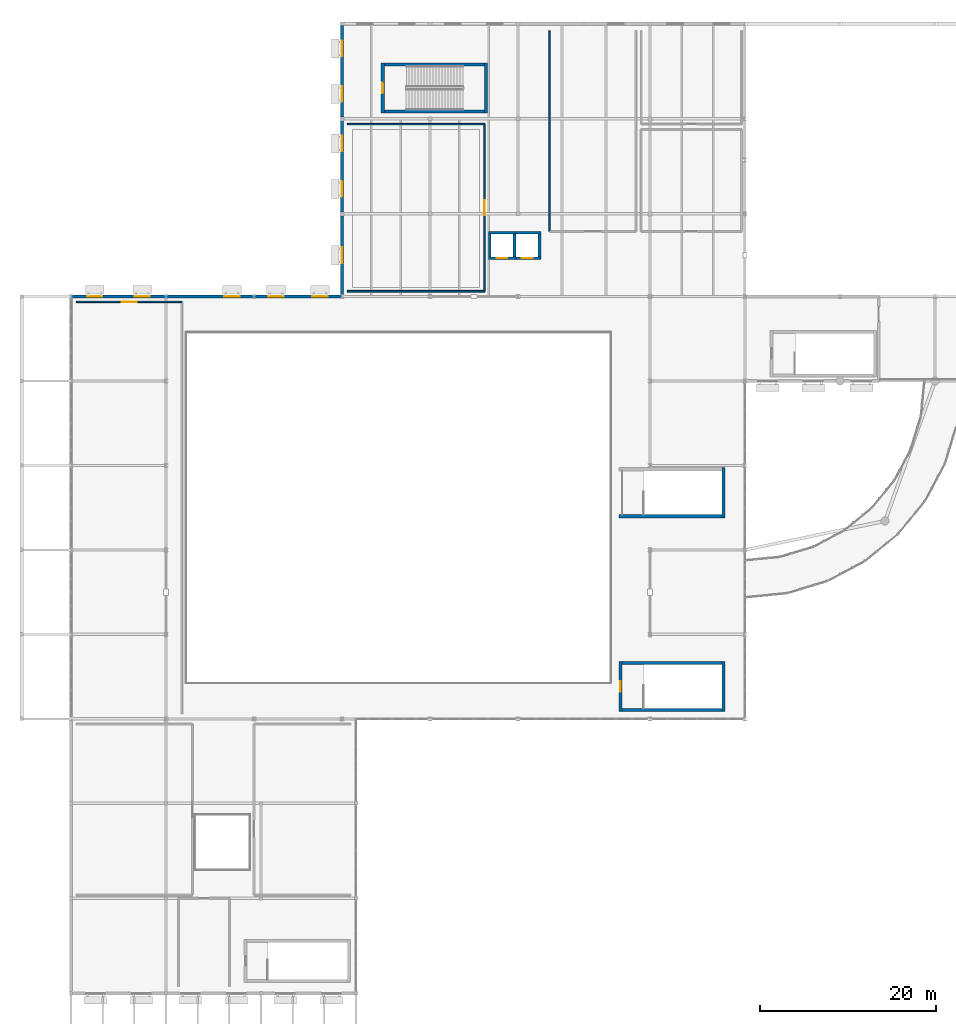
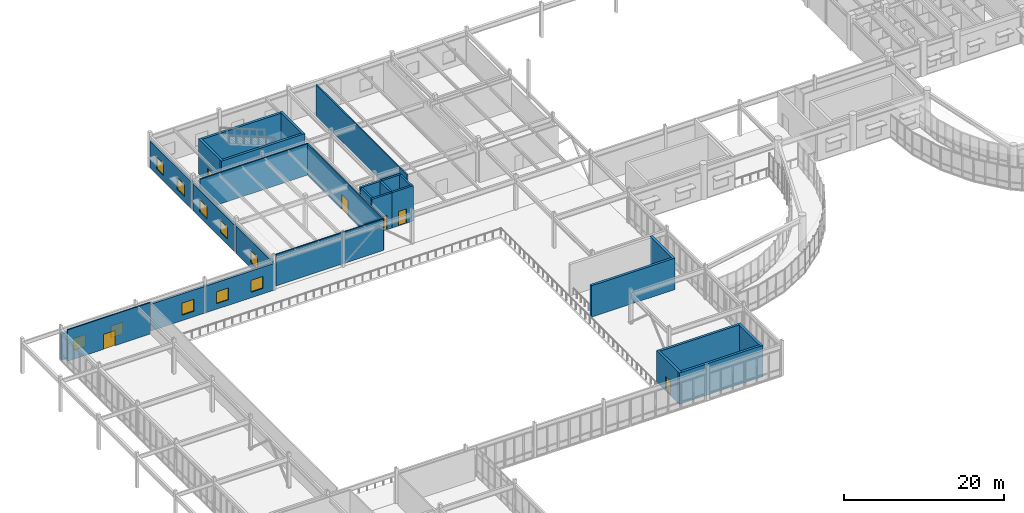
# One storey, part 43 of 68: 28 walls, 10 windows, 6 doors, 16 openings.
"""IFC4 building model written with IfcOpenShell, lengths in metres."""

from ifc_helpers import new_model, si_unit, direction, frame, frame_2d, origin, place, context, subcontext, project, spatial, rectangle, extrude, material, layer, layer_set, type_object, element, fill, save


model = new_model("IFC4")

# Units and contexts
model_context = context("Model", 3, precision=1e-05, world=origin(), true_north=direction((0.0, 1.0)))
body_context = subcontext(model_context, "Body", "Model", "MODEL_VIEW")
ifc_project = project(units=[si_unit("LENGTHUNIT", "METRE"), si_unit("AREAUNIT", "SQUARE_METRE"), si_unit("VOLUMEUNIT", "CUBIC_METRE"), si_unit("PLANEANGLEUNIT", "RADIAN"), si_unit("MASSUNIT", "GRAM", prefix="KILO")], contexts=[model_context])

# Site, building, storey
site_placement = place(None, origin())
site = spatial("IfcSite", under=ifc_project, at=site_placement, CompositionType="ELEMENT")
building_placement = place(site_placement, origin())
building = spatial("IfcBuilding", under=site, at=building_placement, Name="Veldera Park Congress Hotel", CompositionType="ELEMENT")
storey_placement = place(building_placement, frame((0.0, 0.0, 10.800048828125)))
storey = spatial("IfcBuildingStorey", under=building, at=storey_placement, Name="L02", CompositionType="ELEMENT", Elevation=10.800048828125)

# Wall, openings, windows
ifc_material_1 = material(Name="Cross-laminated timber CLT V2M1.1", Category="wood")
ifc_layer_1 = layer(ifc_material_1, 0.320068359375)
ifc_layer_set_1 = layer_set([ifc_layer_1], Name="Cross-laminated timber CLT V2M1.1")
wall_type_1 = type_object("IfcWallType", Name="EW-CLT320", PredefinedType="STANDARD", material=ifc_layer_set_1)
wall_1_placement = place(storey_placement, frame((-47.39990234375, 57.777099609375, 0.0), z_axis=(0.0, 0.0, 1.0), x_axis=(0.0, -1.0, 0.0)))
wall_1 = element("IfcWall", 1, at=wall_1_placement, inside=storey, type_object=wall_type_1, Name="L02 Exterior Wall EW3-L02-0076", PredefinedType="STANDARD", context=body_context, shape_type="SweptSolid", body=[
    extrude(rectangle(XDim=10.35400390625, YDim=0.320068359375, at=frame_2d((5.177001953125, 0.0))), origin(), (0.0, 0.0, 1.0), 4.10205078125),
])
opening_1_placement = place(wall_1_placement, frame((1.6884765625, 0.0, 0.85009765625)))
opening_1 = element("IfcOpeningElement", 2, at=opening_1_placement, cuts=wall_1, Name="Opening WIN-1800", PredefinedType="OPENING", context=body_context, shape_type="SweptSolid", body=[
    extrude(rectangle(XDim=1.800048828125, YDim=1.85009765625, at=frame_2d((0.89990234375, 0.925048828125))), frame((0.0, 0.172119140625, 0.0), z_axis=(0.0, -1.0, 0.0), x_axis=(1.0, 0.0, 0.0)), (0.0, 0.0, 1.0), 0.343994140625),
])
opening_2_placement = place(wall_1_placement, frame((6.865478515625, 0.0, 0.85009765625)))
opening_2 = element("IfcOpeningElement", 3, at=opening_2_placement, cuts=wall_1, Name="Opening WIN-1800", PredefinedType="OPENING", context=body_context, shape_type="SweptSolid", body=[
    extrude(rectangle(XDim=1.800048828125, YDim=1.85009765625, at=frame_2d((0.89990234375, 0.925048828125))), frame((0.0, 0.172119140625, 0.0), z_axis=(0.0, -1.0, 0.0), x_axis=(1.0, 0.0, 0.0)), (0.0, 0.0, 1.0), 0.343994140625),
])
ifc_material_2 = material(Name="Low-E Triple Insulating Glass Unit (SHGC 0.22)", Category="glass")
window_type_1 = type_object("IfcWindowType", Name="WIN-1800", PartitioningType="SINGLE_PANEL", PredefinedType="WINDOW", material=ifc_material_2)
window_1_placement = place(opening_1_placement, origin())
window_1 = element("IfcWindow", 4, at=window_1_placement, inside=storey, type_object=window_type_1, Name="L02 Window WIN-1800 95", OverallHeight=1.85009765625, OverallWidth=1.800048828125, PartitioningType="SINGLE_PANEL", PredefinedType="WINDOW", context=body_context, shape_type="SweptSolid", body=[
    extrude(rectangle(XDim=1.800048828125, YDim=1.85009765625, at=frame_2d((0.89990234375, 0.925048828125))), frame((0.0, 0.030029296875, 0.0), z_axis=(0.0, -1.0, 0.0), x_axis=(1.0, 0.0, 0.0)), (0.0, 0.0, 1.0), 0.06005859375),
])
fill(opening_1, window_1)
window_2_placement = place(opening_2_placement, origin())
window_2 = element("IfcWindow", 5, at=window_2_placement, inside=storey, type_object=window_type_1, Name="L02 Window WIN-1800 96", OverallHeight=1.85009765625, OverallWidth=1.800048828125, PartitioningType="SINGLE_PANEL", PredefinedType="WINDOW", context=body_context, shape_type="SweptSolid", body=[
    extrude(rectangle(XDim=1.800048828125, YDim=1.85009765625, at=frame_2d((0.89990234375, 0.925048828125))), frame((0.0, 0.030029296875, 0.0), z_axis=(0.0, -1.0, 0.0), x_axis=(1.0, 0.0, 0.0)), (0.0, 0.0, 1.0), 0.06005859375),
])
fill(opening_2, window_2)

wall_2_placement = place(storey_placement, frame((-47.39990234375, 46.97705078125, 0.0), z_axis=(0.0, 0.0, 1.0), x_axis=(0.0, -1.0, 0.0)))
wall_2 = element("IfcWall", 6, at=wall_2_placement, inside=storey, type_object=wall_type_1, Name="L02 Exterior Wall EW3-L02-0077", PredefinedType="STANDARD", context=body_context, shape_type="SweptSolid", body=[
    extrude(rectangle(XDim=10.35400390625, YDim=0.320068359375, at=frame_2d((5.177001953125, 0.0))), origin(), (0.0, 0.0, 1.0), 4.10205078125),
])
opening_3_placement = place(wall_2_placement, frame((1.6884765625, 0.0, 0.85009765625)))
opening_3 = element("IfcOpeningElement", 7, at=opening_3_placement, cuts=wall_2, Name="Opening WIN-1800", PredefinedType="OPENING", context=body_context, shape_type="SweptSolid", body=[
    extrude(rectangle(XDim=1.800048828125, YDim=1.85009765625, at=frame_2d((0.89990234375, 0.925048828125))), frame((0.0, 0.172119140625, 0.0), z_axis=(0.0, -1.0, 0.0), x_axis=(1.0, 0.0, 0.0)), (0.0, 0.0, 1.0), 0.343994140625),
])
opening_4_placement = place(wall_2_placement, frame((6.865478515625, 0.0, 0.85009765625)))
opening_4 = element("IfcOpeningElement", 8, at=opening_4_placement, cuts=wall_2, Name="Opening WIN-1800", PredefinedType="OPENING", context=body_context, shape_type="SweptSolid", body=[
    extrude(rectangle(XDim=1.800048828125, YDim=1.85009765625, at=frame_2d((0.89990234375, 0.925048828125))), frame((0.0, 0.172119140625, 0.0), z_axis=(0.0, -1.0, 0.0), x_axis=(1.0, 0.0, 0.0)), (0.0, 0.0, 1.0), 0.343994140625),
])
window_3_placement = place(opening_3_placement, origin())
window_3 = element("IfcWindow", 9, at=window_3_placement, inside=storey, type_object=window_type_1, Name="L02 Window WIN-1800 97", OverallHeight=1.85009765625, OverallWidth=1.800048828125, PartitioningType="SINGLE_PANEL", PredefinedType="WINDOW", context=body_context, shape_type="SweptSolid", body=[
    extrude(rectangle(XDim=1.800048828125, YDim=1.85009765625, at=frame_2d((0.89990234375, 0.925048828125))), frame((0.0, 0.030029296875, 0.0), z_axis=(0.0, -1.0, 0.0), x_axis=(1.0, 0.0, 0.0)), (0.0, 0.0, 1.0), 0.06005859375),
])
fill(opening_3, window_3)
window_4_placement = place(opening_4_placement, origin())
window_4 = element("IfcWindow", 10, at=window_4_placement, inside=storey, type_object=window_type_1, Name="L02 Window WIN-1800 98", OverallHeight=1.85009765625, OverallWidth=1.800048828125, PartitioningType="SINGLE_PANEL", PredefinedType="WINDOW", context=body_context, shape_type="SweptSolid", body=[
    extrude(rectangle(XDim=1.800048828125, YDim=1.85009765625, at=frame_2d((0.89990234375, 0.925048828125))), frame((0.0, 0.030029296875, 0.0), z_axis=(0.0, -1.0, 0.0), x_axis=(1.0, 0.0, 0.0)), (0.0, 0.0, 1.0), 0.06005859375),
])
fill(opening_4, window_4)

# Wall, opening, window
wall_3_placement = place(storey_placement, frame((-47.39990234375, 36.177001953125, 0.0), z_axis=(0.0, 0.0, 1.0), x_axis=(0.0, -1.0, 0.0)))
wall_3 = element("IfcWall", 11, at=wall_3_placement, inside=storey, type_object=wall_type_1, Name="L02 Exterior Wall EW3-L02-0078", PredefinedType="STANDARD", context=body_context, shape_type="SweptSolid", body=[
    extrude(rectangle(XDim=8.992919921875, YDim=0.320068359375, at=frame_2d((4.49658203125, 0.0))), origin(), (0.0, 0.0, 1.0), 4.177978515625),
])
opening_5_placement = place(wall_3_placement, frame((3.596435546875, 0.0, 0.85009765625)))
opening_5 = element("IfcOpeningElement", 12, at=opening_5_placement, cuts=wall_3, Name="Opening WIN-1800", PredefinedType="OPENING", context=body_context, shape_type="SweptSolid", body=[
    extrude(rectangle(XDim=1.800048828125, YDim=1.85009765625, at=frame_2d((0.89990234375, 0.925048828125))), frame((0.0, 0.172119140625, 0.0), z_axis=(0.0, -1.0, 0.0), x_axis=(1.0, 0.0, 0.0)), (0.0, 0.0, 1.0), 0.343994140625),
])
window_5_placement = place(opening_5_placement, origin())
window_5 = element("IfcWindow", 13, at=window_5_placement, inside=storey, type_object=window_type_1, Name="L02 Window WIN-1800 99", OverallHeight=1.85009765625, OverallWidth=1.800048828125, PartitioningType="SINGLE_PANEL", PredefinedType="WINDOW", context=body_context, shape_type="SweptSolid", body=[
    extrude(rectangle(XDim=1.800048828125, YDim=1.85009765625, at=frame_2d((0.89990234375, 0.925048828125))), frame((0.0, 0.030029296875, 0.0), z_axis=(0.0, -1.0, 0.0), x_axis=(1.0, 0.0, 0.0)), (0.0, 0.0, 1.0), 0.06005859375),
])
fill(opening_5, window_5)

# Wall, openings, windows
ifc_material_3 = material(Name="Architectural Sandstone Cladding (ASTM C616)", Category="masonry")
ifc_layer_2 = layer(ifc_material_3, 0.340087890625)
ifc_layer_set_2 = layer_set([ifc_layer_2], Name="Architectural Sandstone Cladding (ASTM C616)")
wall_type_2 = type_object("IfcWallType", Name="EW-STONE340", PredefinedType="STANDARD", material=ifc_layer_set_2)
wall_4_placement = place(storey_placement, frame((-47.40625, 27.0, 0.0), z_axis=(0.0, 0.0, 1.0), x_axis=(-1.0, 0.0, 0.0)))
wall_4 = element("IfcWall", 14, at=wall_4_placement, inside=storey, type_object=wall_type_2, Name="L02 Exterior Wall EW3-L02-0073", PredefinedType="STANDARD", context=body_context, shape_type="SweptSolid", body=[
    extrude(rectangle(XDim=9.987548828125, YDim=0.340087890625, at=frame_2d((4.99365234375, 0.0))), origin(), (0.0, 0.0, 1.0), 4.093994140625),
])
opening_6_placement = place(wall_4_placement, frame((1.636962890625, 0.0, 0.85009765625)))
opening_6 = element("IfcOpeningElement", 15, at=opening_6_placement, cuts=wall_4, Name="Opening WIN-1720", PredefinedType="OPENING", context=body_context, shape_type="SweptSolid", body=[
    extrude(rectangle(XDim=1.719970703125, YDim=1.820068359375, at=frame_2d((0.85986328125, 0.91015625))), frame((0.0, 0.18212890625, 0.0), z_axis=(0.0, -1.0, 0.0), x_axis=(1.0, 0.0, 0.0)), (0.0, 0.0, 1.0), 0.364013671875),
])
opening_7_placement = place(wall_4_placement, frame((6.630615234375, 0.0, 0.85009765625)))
opening_7 = element("IfcOpeningElement", 16, at=opening_7_placement, cuts=wall_4, Name="Opening WIN-1720", PredefinedType="OPENING", context=body_context, shape_type="SweptSolid", body=[
    extrude(rectangle(XDim=1.719970703125, YDim=1.820068359375, at=frame_2d((0.85986328125, 0.91015625))), frame((0.0, 0.18212890625, 0.0), z_axis=(0.0, -1.0, 0.0), x_axis=(1.0, 0.0, 0.0)), (0.0, 0.0, 1.0), 0.364013671875),
])
window_type_2 = type_object("IfcWindowType", Name="WIN-1720", PartitioningType="SINGLE_PANEL", PredefinedType="WINDOW", material=ifc_material_2)
window_6_placement = place(opening_6_placement, origin())
window_6 = element("IfcWindow", 17, at=window_6_placement, inside=storey, type_object=window_type_2, Name="L02 Window WIN-1720 90", OverallHeight=1.820068359375, OverallWidth=1.719970703125, PartitioningType="SINGLE_PANEL", PredefinedType="WINDOW", context=body_context, shape_type="SweptSolid", body=[
    extrude(rectangle(XDim=1.719970703125, YDim=1.820068359375, at=frame_2d((0.85986328125, 0.91015625))), frame((0.0, 0.030029296875, 0.0), z_axis=(0.0, -1.0, 0.0), x_axis=(1.0, 0.0, 0.0)), (0.0, 0.0, 1.0), 0.06005859375),
])
fill(opening_6, window_6)
window_7_placement = place(opening_7_placement, origin())
window_7 = element("IfcWindow", 18, at=window_7_placement, inside=storey, type_object=window_type_2, Name="L02 Window WIN-1720 91", OverallHeight=1.820068359375, OverallWidth=1.719970703125, PartitioningType="SINGLE_PANEL", PredefinedType="WINDOW", context=body_context, shape_type="SweptSolid", body=[
    extrude(rectangle(XDim=1.719970703125, YDim=1.820068359375, at=frame_2d((0.85986328125, 0.91015625))), frame((0.0, 0.030029296875, 0.0), z_axis=(0.0, -1.0, 0.0), x_axis=(1.0, 0.0, 0.0)), (0.0, 0.0, 1.0), 0.06005859375),
])
fill(opening_7, window_7)

# Wall, opening, window
wall_5_placement = place(storey_placement, frame((-57.40625, 27.0, 0.0), z_axis=(0.0, 0.0, 1.0), x_axis=(-1.0, 0.0, 0.0)))
wall_5 = element("IfcWall", 19, at=wall_5_placement, inside=storey, type_object=wall_type_2, Name="L02 Exterior Wall EW3-L02-0074", PredefinedType="STANDARD", context=body_context, shape_type="SweptSolid", body=[
    extrude(rectangle(XDim=9.984375, YDim=0.340087890625, at=frame_2d((4.9921875, 0.0))), origin(), (0.0, 0.0, 1.0), 4.093994140625),
])
opening_8_placement = place(wall_5_placement, frame((1.635986328125, 0.0, 0.85009765625)))
opening_8 = element("IfcOpeningElement", 20, at=opening_8_placement, cuts=wall_5, Name="Opening WIN-1720", PredefinedType="OPENING", context=body_context, shape_type="SweptSolid", body=[
    extrude(rectangle(XDim=1.719970703125, YDim=1.820068359375, at=frame_2d((0.85986328125, 0.91015625))), frame((0.0, 0.18212890625, 0.0), z_axis=(0.0, -1.0, 0.0), x_axis=(1.0, 0.0, 0.0)), (0.0, 0.0, 1.0), 0.364013671875),
])
window_8_placement = place(opening_8_placement, origin())
window_8 = element("IfcWindow", 21, at=window_8_placement, inside=storey, type_object=window_type_2, Name="L02 Window WIN-1720 92", OverallHeight=1.820068359375, OverallWidth=1.719970703125, PartitioningType="SINGLE_PANEL", PredefinedType="WINDOW", context=body_context, shape_type="SweptSolid", body=[
    extrude(rectangle(XDim=1.719970703125, YDim=1.820068359375, at=frame_2d((0.85986328125, 0.91015625))), frame((0.0, 0.030029296875, 0.0), z_axis=(0.0, -1.0, 0.0), x_axis=(1.0, 0.0, 0.0)), (0.0, 0.0, 1.0), 0.06005859375),
])
fill(opening_8, window_8)

# Wall, openings, windows
wall_6_placement = place(storey_placement, frame((-67.4091796875, 27.0, 0.0), z_axis=(0.0, 0.0, 1.0), x_axis=(-1.0, 0.0, 0.0)))
wall_6 = element("IfcWall", 22, at=wall_6_placement, inside=storey, type_object=wall_type_2, Name="L02 Exterior Wall EW3-L02-0075", PredefinedType="STANDARD", context=body_context, shape_type="SweptSolid", body=[
    extrude(rectangle(XDim=10.785400390625, YDim=0.340087890625, at=frame_2d((5.392578125, 0.0))), origin(), (0.0, 0.0, 1.0), 4.015869140625),
])
opening_9_placement = place(wall_6_placement, frame((1.836181640625, 0.0, 0.85009765625)))
opening_9 = element("IfcOpeningElement", 23, at=opening_9_placement, cuts=wall_6, Name="Opening WIN-1720", PredefinedType="OPENING", context=body_context, shape_type="SweptSolid", body=[
    extrude(rectangle(XDim=1.719970703125, YDim=1.820068359375, at=frame_2d((0.85986328125, 0.91015625))), frame((0.0, 0.18212890625, 0.0), z_axis=(0.0, -1.0, 0.0), x_axis=(1.0, 0.0, 0.0)), (0.0, 0.0, 1.0), 0.364013671875),
])
opening_10_placement = place(wall_6_placement, frame((7.22900390625, 0.0, 0.85009765625)))
opening_10 = element("IfcOpeningElement", 24, at=opening_10_placement, cuts=wall_6, Name="Opening WIN-1720", PredefinedType="OPENING", context=body_context, shape_type="SweptSolid", body=[
    extrude(rectangle(XDim=1.719970703125, YDim=1.820068359375, at=frame_2d((0.85986328125, 0.91015625))), frame((0.0, 0.18212890625, 0.0), z_axis=(0.0, -1.0, 0.0), x_axis=(1.0, 0.0, 0.0)), (0.0, 0.0, 1.0), 0.364013671875),
])
window_9_placement = place(opening_9_placement, origin())
window_9 = element("IfcWindow", 25, at=window_9_placement, inside=storey, type_object=window_type_2, Name="L02 Window WIN-1720 93", OverallHeight=1.820068359375, OverallWidth=1.719970703125, PartitioningType="SINGLE_PANEL", PredefinedType="WINDOW", context=body_context, shape_type="SweptSolid", body=[
    extrude(rectangle(XDim=1.719970703125, YDim=1.820068359375, at=frame_2d((0.85986328125, 0.91015625))), frame((0.0, 0.030029296875, 0.0), z_axis=(0.0, -1.0, 0.0), x_axis=(1.0, 0.0, 0.0)), (0.0, 0.0, 1.0), 0.06005859375),
])
fill(opening_9, window_9)
window_10_placement = place(opening_10_placement, origin())
window_10 = element("IfcWindow", 26, at=window_10_placement, inside=storey, type_object=window_type_2, Name="L02 Window WIN-1720 94", OverallHeight=1.820068359375, OverallWidth=1.719970703125, PartitioningType="SINGLE_PANEL", PredefinedType="WINDOW", context=body_context, shape_type="SweptSolid", body=[
    extrude(rectangle(XDim=1.719970703125, YDim=1.820068359375, at=frame_2d((0.85986328125, 0.91015625))), frame((0.0, 0.030029296875, 0.0), z_axis=(0.0, -1.0, 0.0), x_axis=(1.0, 0.0, 0.0)), (0.0, 0.0, 1.0), 0.06005859375),
])
fill(opening_10, window_10)

# Wall, opening, door
ifc_material_4 = material(Name="Fire-Rated Gypsum Board on Cold-Formed Steel Studs", Category="steel")
ifc_layer_3 = layer(ifc_material_4, 0.179931640625)
ifc_layer_set_3 = layer_set([ifc_layer_3], Name="Fire-Rated Gypsum Board on Cold-Formed Steel Studs")
wall_type_3 = type_object("IfcWallType", Name="IW-CORR180", PredefinedType="PARTITIONING", material=ifc_layer_set_3)
wall_7_placement = place(storey_placement, frame((-65.60009765625, 26.39990234375, 0.0), z_axis=(0.0, 0.0, 1.0), x_axis=(-1.0, 0.0, 0.0)))
wall_7 = element("IfcWall", 27, at=wall_7_placement, inside=storey, type_object=wall_type_3, Name="L02 Partition Wall IW3-L02-00175", PredefinedType="PARTITIONING", context=body_context, shape_type="SweptSolid", body=[
    extrude(rectangle(XDim=12.0, YDim=0.179931640625, at=frame_2d((6.0, 0.0))), origin(), (0.0, 0.0, 1.0), 4.800048828125),
])
opening_11_placement = place(wall_7_placement, frame((5.14990234375, 0.0, 0.0)))
opening_11 = element("IfcOpeningElement", 28, at=opening_11_placement, cuts=wall_7, Name="Opening ID-HALL170", PredefinedType="OPENING", context=body_context, shape_type="SweptSolid", body=[
    extrude(rectangle(XDim=1.699951171875, YDim=2.300048828125, at=frame_2d((0.85009765625, 1.14990234375))), frame((0.0, 0.10205078125, 0.0), z_axis=(0.0, -1.0, 0.0), x_axis=(1.0, 0.0, 0.0)), (0.0, 0.0, 1.0), 0.203857421875),
])
ifc_material_5 = material(Name="Solid Core White Oak Architectural Door", Category="wood")
door_type_1 = type_object("IfcDoorType", Name="ID-HALL170", OperationType="DOUBLE_DOOR_SINGLE_SWING", PredefinedType="DOOR", material=ifc_material_5)
door_1_placement = place(opening_11_placement, origin())
door_1 = element("IfcDoor", 29, at=door_1_placement, inside=storey, type_object=door_type_1, Name="L02 Plenary Projection and Acoustic Control Gallery Door ID3-L02-0062 (DR3-ID3-L02-0062)", OperationType="DOUBLE_DOOR_SINGLE_SWING", OverallHeight=2.300048828125, OverallWidth=1.699951171875, PredefinedType="DOOR", context=body_context, shape_type="SweptSolid", body=[
    extrude(rectangle(XDim=1.699951171875, YDim=2.300048828125, at=frame_2d((0.85009765625, 1.14990234375))), frame((0.0, 0.02490234375, 0.0), z_axis=(0.0, -1.0, 0.0), x_axis=(1.0, 0.0, 0.0)), (0.0, 0.0, 1.0), 0.050048828125),
])
fill(opening_11, door_1)

# Wall
wall_8_placement = place(storey_placement, frame((-46.800048828125, 27.60009765625, 0.0), z_axis=(0.0, 0.0, 1.0), x_axis=(1.0, 0.0, 0.0)))
element("IfcWall", 30, at=wall_8_placement, inside=storey, type_object=wall_type_3, Name="L02 Partition Wall IW3-L02-00176", PredefinedType="PARTITIONING", context=body_context, shape_type="SweptSolid", body=[
    extrude(rectangle(XDim=15.60009765625, YDim=0.179931640625, at=frame_2d((7.800048828125, 0.0))), origin(), (0.0, 0.0, 1.0), 4.800048828125),
])

# Wall, opening, door
wall_9_placement = place(storey_placement, frame((-31.199951171875, 27.60009765625, 0.0), z_axis=(0.0, 0.0, 1.0), x_axis=(0.0, 1.0, 0.0)))
wall_9 = element("IfcWall", 31, at=wall_9_placement, inside=storey, type_object=wall_type_3, Name="L02 Partition Wall IW3-L02-00177", PredefinedType="PARTITIONING", context=body_context, shape_type="SweptSolid", body=[
    extrude(rectangle(XDim=19.0, YDim=0.179931640625, at=frame_2d((9.5, 0.0))), origin(), (0.0, 0.0, 1.0), 4.800048828125),
])
opening_12_placement = place(wall_9_placement, frame((8.64990234375, 0.0, 0.0)))
opening_12 = element("IfcOpeningElement", 32, at=opening_12_placement, cuts=wall_9, Name="Opening ID-HALL170", PredefinedType="OPENING", context=body_context, shape_type="SweptSolid", body=[
    extrude(rectangle(XDim=1.699951171875, YDim=2.300048828125, at=frame_2d((0.85009765625, 1.14990234375))), frame((0.0, 0.10205078125, 0.0), z_axis=(0.0, -1.0, 0.0), x_axis=(1.0, 0.0, 0.0)), (0.0, 0.0, 1.0), 0.203857421875),
])
door_2_placement = place(opening_12_placement, origin())
door_2 = element("IfcDoor", 33, at=door_2_placement, inside=storey, type_object=door_type_1, Name="L02 Congress Secretariat and Organiser Offices Door ID3-L02-0063 (DR3-ID3-L02-0063)", OperationType="DOUBLE_DOOR_SINGLE_SWING", OverallHeight=2.300048828125, OverallWidth=1.699951171875, PredefinedType="DOOR", context=body_context, shape_type="SweptSolid", body=[
    extrude(rectangle(XDim=1.699951171875, YDim=2.300048828125, at=frame_2d((0.85009765625, 1.14990234375))), frame((0.0, 0.02490234375, 0.0), z_axis=(0.0, -1.0, 0.0), x_axis=(1.0, 0.0, 0.0)), (0.0, 0.0, 1.0), 0.050048828125),
])
fill(opening_12, door_2)

# Walls
wall_10_placement = place(storey_placement, frame((-31.199951171875, 46.60009765625, 0.0), z_axis=(0.0, 0.0, 1.0), x_axis=(-1.0, 0.0, 0.0)))
element("IfcWall", 34, at=wall_10_placement, inside=storey, type_object=wall_type_3, Name="L02 Partition Wall IW3-L02-00178", PredefinedType="PARTITIONING", context=body_context, shape_type="SweptSolid", body=[
    extrude(rectangle(XDim=15.60009765625, YDim=0.179931640625, at=frame_2d((7.800048828125, 0.0))), origin(), (0.0, 0.0, 1.0), 4.800048828125),
])
wall_11_placement = place(storey_placement, frame((-23.800048828125, 57.199951171875, 0.0), z_axis=(0.0, 0.0, 1.0), x_axis=(0.0, -1.0, 0.0)))
element("IfcWall", 35, at=wall_11_placement, inside=storey, type_object=wall_type_3, Name="L02 Partition Wall IW3-L02-00181", PredefinedType="PARTITIONING", context=body_context, shape_type="SweptSolid", body=[
    extrude(rectangle(XDim=22.800048828125, YDim=0.179931640625, at=frame_2d((11.39990234375, 0.0))), origin(), (0.0, 0.0, 1.0), 4.800048828125),
])
ifc_material_6 = material(Name="Concrete f'c 40 MPa (5,800 psi)", Category="concrete")
ifc_layer_4 = layer(ifc_material_6, 0.35009765625)
ifc_layer_set_4 = layer_set([ifc_layer_4], Name="Concrete f'c 40 MPa (5,800 psi)")
wall_type_4 = type_object("IfcWallType", Name="SW-CORE350", PredefinedType="SHEAR", material=ifc_layer_set_4)
wall_12_placement = place(storey_placement, frame((-42.949951171875, 48.02490234375, 0.0), z_axis=(0.0, 0.0, 1.0), x_axis=(1.0, 0.0, 0.0)))
element("IfcWall", 36, at=wall_12_placement, inside=storey, type_object=wall_type_4, Name="Stair ST4 Core Wall L02-S", PredefinedType="SHEAR", context=body_context, shape_type="SweptSolid", body=[
    extrude(rectangle(XDim=12.099853515625, YDim=0.35009765625, at=frame_2d((6.0498046875, 0.0))), origin(), (0.0, 0.0, 1.0), 5.39990234375),
])
wall_13_placement = place(storey_placement, frame((-31.02490234375, 47.85009765625, 0.0), z_axis=(0.0, 0.0, 1.0), x_axis=(0.0, 1.0, 0.0)))
element("IfcWall", 37, at=wall_13_placement, inside=storey, type_object=wall_type_4, Name="Stair ST4 Core Wall L02-E", PredefinedType="SHEAR", context=body_context, shape_type="SweptSolid", body=[
    extrude(rectangle(XDim=5.699951171875, YDim=0.35009765625, at=frame_2d((2.85009765625, 0.0))), origin(), (0.0, 0.0, 1.0), 5.39990234375),
])
wall_14_placement = place(storey_placement, frame((-30.85009765625, 53.375, 0.0), z_axis=(0.0, 0.0, 1.0), x_axis=(-1.0, 0.0, 0.0)))
element("IfcWall", 38, at=wall_14_placement, inside=storey, type_object=wall_type_4, Name="Stair ST4 Core Wall L02-N", PredefinedType="SHEAR", context=body_context, shape_type="SweptSolid", body=[
    extrude(rectangle(XDim=12.099853515625, YDim=0.35009765625, at=frame_2d((6.0498046875, 0.0))), origin(), (0.0, 0.0, 1.0), 5.39990234375),
])

# Wall, opening, door
wall_15_placement = place(storey_placement, frame((-42.77490234375, 53.550048828125, 0.0), z_axis=(0.0, 0.0, 1.0), x_axis=(0.0, -1.0, 0.0)))
wall_15 = element("IfcWall", 39, at=wall_15_placement, inside=storey, type_object=wall_type_4, Name="Stair ST4 Core Wall L02-W", PredefinedType="SHEAR", context=body_context, shape_type="SweptSolid", body=[
    extrude(rectangle(XDim=5.699951171875, YDim=0.35009765625, at=frame_2d((2.85009765625, 0.0))), origin(), (0.0, 0.0, 1.0), 5.39990234375),
])
opening_13_placement = place(wall_15_placement, frame((2.25, 0.0, 0.0)))
opening_13 = element("IfcOpeningElement", 40, at=opening_13_placement, cuts=wall_15, Name="Opening ID-STAIR120", PredefinedType="OPENING", context=body_context, shape_type="SweptSolid", body=[
    extrude(rectangle(XDim=1.199951171875, YDim=2.199951171875, at=frame_2d((0.60009765625, 1.10009765625))), frame((0.0, 0.18701171875, 0.0), z_axis=(0.0, -1.0, 0.0), x_axis=(1.0, 0.0, 0.0)), (0.0, 0.0, 1.0), 0.3740234375),
])
ifc_material_7 = material(Name="Hollow Metal Fire-Rated Steel Door", Category="steel")
door_type_2 = type_object("IfcDoorType", Name="ID-STAIR120", OperationType="NOTDEFINED", PredefinedType="DOOR", material=ifc_material_7)
door_3_placement = place(opening_13_placement, origin())
door_3 = element("IfcDoor", 41, at=door_3_placement, inside=storey, type_object=door_type_2, Name="L02 Stair ST4 Fire Door (DR3-SD-ST4-L02)", OperationType="SINGLE_SWING_RIGHT", OverallHeight=2.199951171875, OverallWidth=1.199951171875, PredefinedType="DOOR", context=body_context, shape_type="SweptSolid", body=[
    extrude(rectangle(XDim=1.199951171875, YDim=2.199951171875, at=frame_2d((0.60009765625, 1.10009765625))), frame((0.0, 0.02490234375, 0.0), z_axis=(0.0, -1.0, 0.0), x_axis=(1.0, 0.0, 0.0)), (0.0, 0.0, 1.0), 0.050048828125),
])
fill(opening_13, door_3)

# Walls
wall_16_placement = place(storey_placement, frame((-15.949951171875, -19.97509765625, 0.0), z_axis=(0.0, 0.0, 1.0), x_axis=(1.0, 0.0, 0.0)))
element("IfcWall", 42, at=wall_16_placement, inside=storey, type_object=wall_type_4, Name="Stair ST5 Core Wall L02-S", PredefinedType="SHEAR", context=body_context, shape_type="SweptSolid", body=[
    extrude(rectangle(XDim=12.099853515625, YDim=0.35009765625, at=frame_2d((6.0498046875, 0.0))), origin(), (0.0, 0.0, 1.0), 4.800048828125),
])
wall_17_placement = place(storey_placement, frame((-4.02490234375, -20.14990234375, 0.0), z_axis=(0.0, 0.0, 1.0), x_axis=(0.0, 1.0, 0.0)))
element("IfcWall", 43, at=wall_17_placement, inside=storey, type_object=wall_type_4, Name="Stair ST5 Core Wall L02-E", PredefinedType="SHEAR", context=body_context, shape_type="SweptSolid", body=[
    extrude(rectangle(XDim=5.699951171875, YDim=0.35009765625, at=frame_2d((2.85009765625, 0.0))), origin(), (0.0, 0.0, 1.0), 4.800048828125),
])
wall_18_placement = place(storey_placement, frame((-3.85009765625, -14.625, 0.0), z_axis=(0.0, 0.0, 1.0), x_axis=(-1.0, 0.0, 0.0)))
element("IfcWall", 44, at=wall_18_placement, inside=storey, type_object=wall_type_4, Name="Stair ST5 Core Wall L02-N", PredefinedType="SHEAR", context=body_context, shape_type="SweptSolid", body=[
    extrude(rectangle(XDim=12.099853515625, YDim=0.35009765625, at=frame_2d((6.0498046875, 0.0))), origin(), (0.0, 0.0, 1.0), 4.800048828125),
])

# Wall, opening, door
wall_19_placement = place(storey_placement, frame((-15.77490234375, -14.449951171875, 0.0), z_axis=(0.0, 0.0, 1.0), x_axis=(0.0, -1.0, 0.0)))
wall_19 = element("IfcWall", 45, at=wall_19_placement, inside=storey, type_object=wall_type_4, Name="Stair ST5 Core Wall L02-W", PredefinedType="SHEAR", context=body_context, shape_type="SweptSolid", body=[
    extrude(rectangle(XDim=5.699951171875, YDim=0.35009765625, at=frame_2d((2.85009765625, 0.0))), origin(), (0.0, 0.0, 1.0), 4.800048828125),
])
opening_14_placement = place(wall_19_placement, frame((2.25, 0.0, 0.0)))
opening_14 = element("IfcOpeningElement", 46, at=opening_14_placement, cuts=wall_19, Name="Opening ID-STAIR120", PredefinedType="OPENING", context=body_context, shape_type="SweptSolid", body=[
    extrude(rectangle(XDim=1.199951171875, YDim=2.199951171875, at=frame_2d((0.60009765625, 1.10009765625))), frame((0.0, 0.18701171875, 0.0), z_axis=(0.0, -1.0, 0.0), x_axis=(1.0, 0.0, 0.0)), (0.0, 0.0, 1.0), 0.3740234375),
])
door_4_placement = place(opening_14_placement, origin())
door_4 = element("IfcDoor", 47, at=door_4_placement, inside=storey, type_object=door_type_2, Name="L02 Stair ST5 Fire Door (DR3-SD-ST5-L02)", OperationType="SINGLE_SWING_LEFT", OverallHeight=2.199951171875, OverallWidth=1.199951171875, PredefinedType="DOOR", context=body_context, shape_type="SweptSolid", body=[
    extrude(rectangle(XDim=1.199951171875, YDim=2.199951171875, at=frame_2d((0.60009765625, 1.10009765625))), frame((0.0, 0.02490234375, 0.0), z_axis=(0.0, -1.0, 0.0), x_axis=(1.0, 0.0, 0.0)), (0.0, 0.0, 1.0), 0.050048828125),
])
fill(opening_14, door_4)

# Walls
wall_20_placement = place(storey_placement, frame((-15.949951171875, 2.02490234375, 0.0), z_axis=(0.0, 0.0, 1.0), x_axis=(1.0, 0.0, 0.0)))
element("IfcWall", 48, at=wall_20_placement, inside=storey, type_object=wall_type_4, Name="Monumental Stair ST9 Wall L02-S", PredefinedType="SHEAR", context=body_context, shape_type="SweptSolid", body=[
    extrude(rectangle(XDim=12.099853515625, YDim=0.35009765625, at=frame_2d((6.0498046875, 0.0))), origin(), (0.0, 0.0, 1.0), 4.800048828125),
])
wall_21_placement = place(storey_placement, frame((-4.02490234375, 1.85009765625, 0.0), z_axis=(0.0, 0.0, 1.0), x_axis=(0.0, 1.0, 0.0)))
element("IfcWall", 49, at=wall_21_placement, inside=storey, type_object=wall_type_4, Name="Monumental Stair ST9 Wall L02-E", PredefinedType="SHEAR", context=body_context, shape_type="SweptSolid", body=[
    extrude(rectangle(XDim=5.699951171875, YDim=0.35009765625, at=frame_2d((2.85009765625, 0.0))), origin(), (0.0, 0.0, 1.0), 4.800048828125),
])

# Wall, opening, door
ifc_layer_5 = layer(ifc_material_6, 0.300048828125)
ifc_layer_set_5 = layer_set([ifc_layer_5], Name="Concrete f'c 40 MPa (5,800 psi)")
wall_type_5 = type_object("IfcWallType", Name="SW-SHFT300", PredefinedType="SHEAR", material=ifc_layer_set_5)
wall_22_placement = place(storey_placement, frame((-30.75, 31.35009765625, 0.0), z_axis=(0.0, 0.0, 1.0), x_axis=(1.0, 0.0, 0.0)))
wall_22 = element("IfcWall", 50, at=wall_22_placement, inside=storey, type_object=wall_type_5, Name="Lift CL-01 Shaft Wall L02-S", PredefinedType="SHEAR", context=body_context, shape_type="SweptSolid", body=[
    extrude(rectangle(XDim=3.10009765625, YDim=0.300048828125, at=frame_2d((1.550048828125, 0.0))), origin(), (0.0, 0.0, 1.0), 5.39990234375),
])
opening_15_placement = place(wall_22_placement, frame((0.949951171875, 0.0, 0.0)))
opening_15 = element("IfcOpeningElement", 51, at=opening_15_placement, cuts=wall_22, Name="Opening LD-120", PredefinedType="OPENING", context=body_context, shape_type="SweptSolid", body=[
    extrude(rectangle(XDim=1.199951171875, YDim=2.199951171875, at=frame_2d((0.60009765625, 1.10009765625))), frame((0.0, 0.162109375, 0.0), z_axis=(0.0, -1.0, 0.0), x_axis=(1.0, 0.0, 0.0)), (0.0, 0.0, 1.0), 0.323974609375),
])
door_type_3 = type_object("IfcDoorType", Name="LD-120", OperationType="DOUBLE_DOOR_SLIDING", PredefinedType="DOOR", material=ifc_material_7)
door_5_placement = place(opening_15_placement, origin())
door_5 = element("IfcDoor", 52, at=door_5_placement, inside=storey, type_object=door_type_3, Name="L02 Lift CL-01 Landing Door (DR3-LD-CL-01-L02)", OperationType="DOUBLE_DOOR_SLIDING", OverallHeight=2.199951171875, OverallWidth=1.199951171875, PredefinedType="DOOR", context=body_context, shape_type="SweptSolid", body=[
    extrude(rectangle(XDim=1.199951171875, YDim=2.199951171875, at=frame_2d((0.60009765625, 1.10009765625))), frame((0.0, 0.02490234375, 0.0), z_axis=(0.0, -1.0, 0.0), x_axis=(1.0, 0.0, 0.0)), (0.0, 0.0, 1.0), 0.050048828125),
])
fill(opening_15, door_5)

# Walls
wall_23_placement = place(storey_placement, frame((-27.64990234375, 34.25, 0.0), z_axis=(0.0, 0.0, 1.0), x_axis=(-1.0, 0.0, 0.0)))
element("IfcWall", 53, at=wall_23_placement, inside=storey, type_object=wall_type_5, Name="Lift CL-01 Shaft Wall L02-N", PredefinedType="SHEAR", context=body_context, shape_type="SweptSolid", body=[
    extrude(rectangle(XDim=3.10009765625, YDim=0.300048828125, at=frame_2d((1.550048828125, 0.0))), origin(), (0.0, 0.0, 1.0), 5.39990234375),
])
for number, where, z_axis, x_axis, name in (
    (54, (-27.800048828125, 31.5, 0.0), (0.0, 0.0, 1.0), (0.0, 1.0, 0.0), "Lift CL-01 Shaft Wall L02-E"),
    (55, (-30.60009765625, 34.10009765625, 0.0), (0.0, 0.0, 1.0), (0.0, -1.0, 0.0), "Lift CL-01 Shaft Wall L02-W"),
):
    element("IfcWall", number, at=place(storey_placement, frame(where, z_axis=z_axis, x_axis=x_axis)), inside=storey, type_object=wall_type_5, Name=name, PredefinedType="SHEAR", context=body_context, shape_type="SweptSolid", body=[
        extrude(rectangle(XDim=2.60009765625, YDim=0.300048828125, at=frame_2d((1.300048828125, 0.0))), origin(), (0.0, 0.0, 1.0), 5.39990234375),
    ])

# Wall, opening, door
wall_24_placement = place(storey_placement, frame((-27.89990234375, 31.35009765625, 0.0), z_axis=(0.0, 0.0, 1.0), x_axis=(1.0, 0.0, 0.0)))
wall_24 = element("IfcWall", 56, at=wall_24_placement, inside=storey, type_object=wall_type_5, Name="Lift CL-02 Shaft Wall L02-S", PredefinedType="SHEAR", context=body_context, shape_type="SweptSolid", body=[
    extrude(rectangle(XDim=3.099853515625, YDim=0.300048828125, at=frame_2d((1.5498046875, 0.0))), origin(), (0.0, 0.0, 1.0), 5.39990234375),
])
opening_16_placement = place(wall_24_placement, frame((0.949951171875, 0.0, 0.0)))
opening_16 = element("IfcOpeningElement", 57, at=opening_16_placement, cuts=wall_24, Name="Opening LD-120", PredefinedType="OPENING", context=body_context, shape_type="SweptSolid", body=[
    extrude(rectangle(XDim=1.199951171875, YDim=2.199951171875, at=frame_2d((0.60009765625, 1.10009765625))), frame((0.0, 0.162109375, 0.0), z_axis=(0.0, -1.0, 0.0), x_axis=(1.0, 0.0, 0.0)), (0.0, 0.0, 1.0), 0.323974609375),
])
door_6_placement = place(opening_16_placement, origin())
door_6 = element("IfcDoor", 58, at=door_6_placement, inside=storey, type_object=door_type_3, Name="L02 Lift CL-02 Landing Door (DR3-LD-CL-02-L02)", OperationType="DOUBLE_DOOR_SLIDING", OverallHeight=2.199951171875, OverallWidth=1.199951171875, PredefinedType="DOOR", context=body_context, shape_type="SweptSolid", body=[
    extrude(rectangle(XDim=1.199951171875, YDim=2.199951171875, at=frame_2d((0.60009765625, 1.10009765625))), frame((0.0, 0.02490234375, 0.0), z_axis=(0.0, -1.0, 0.0), x_axis=(1.0, 0.0, 0.0)), (0.0, 0.0, 1.0), 0.050048828125),
])
fill(opening_16, door_6)

# Walls
wall_25_placement = place(storey_placement, frame((-24.800048828125, 34.25, 0.0), z_axis=(0.0, 0.0, 1.0), x_axis=(-1.0, 0.0, 0.0)))
element("IfcWall", 59, at=wall_25_placement, inside=storey, type_object=wall_type_5, Name="Lift CL-02 Shaft Wall L02-N", PredefinedType="SHEAR", context=body_context, shape_type="SweptSolid", body=[
    extrude(rectangle(XDim=3.099853515625, YDim=0.300048828125, at=frame_2d((1.5498046875, 0.0))), origin(), (0.0, 0.0, 1.0), 5.39990234375),
])
wall_26_placement = place(storey_placement, frame((-24.949951171875, 31.5, 0.0), z_axis=(0.0, 0.0, 1.0), x_axis=(0.0, 1.0, 0.0)))
element("IfcWall", 60, at=wall_26_placement, inside=storey, type_object=wall_type_5, Name="Lift CL-02 Shaft Wall L02-E", PredefinedType="SHEAR", context=body_context, shape_type="SweptSolid", body=[
    extrude(rectangle(XDim=2.60009765625, YDim=0.300048828125, at=frame_2d((1.300048828125, 0.0))), origin(), (0.0, 0.0, 1.0), 5.39990234375),
])

save(model, "model.ifc")
